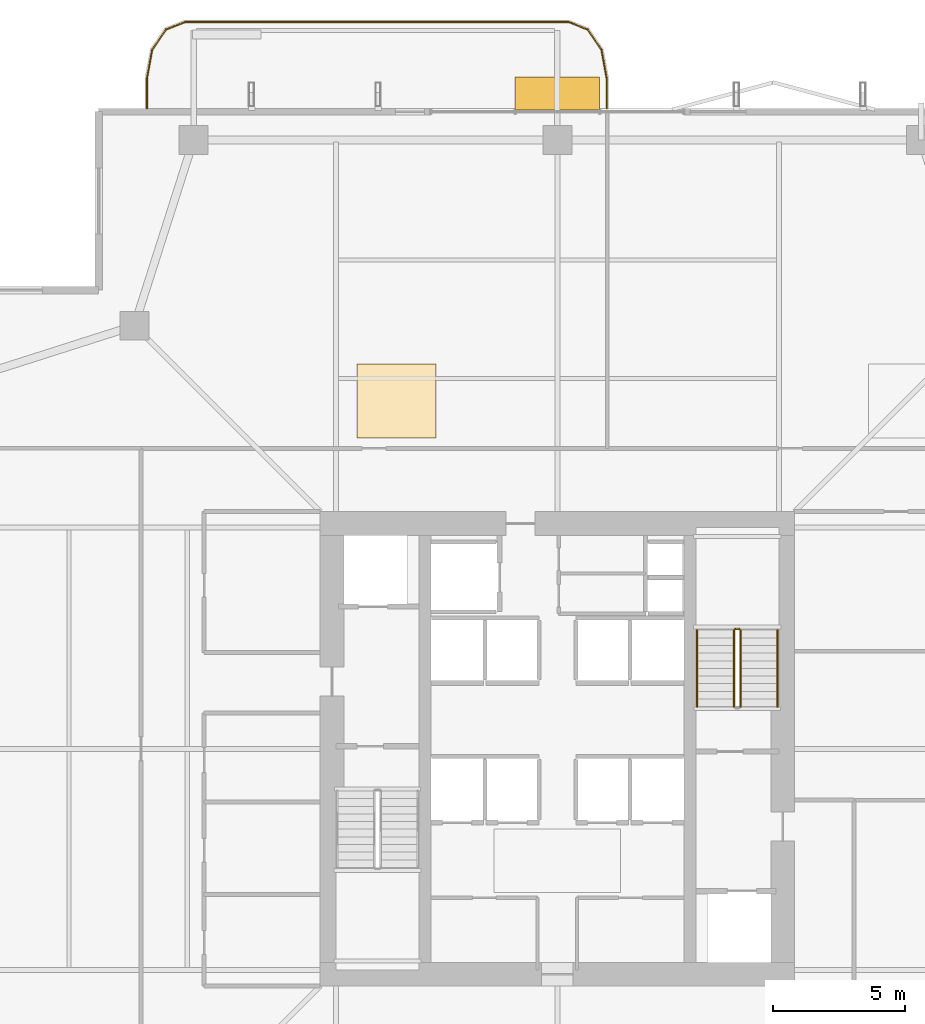
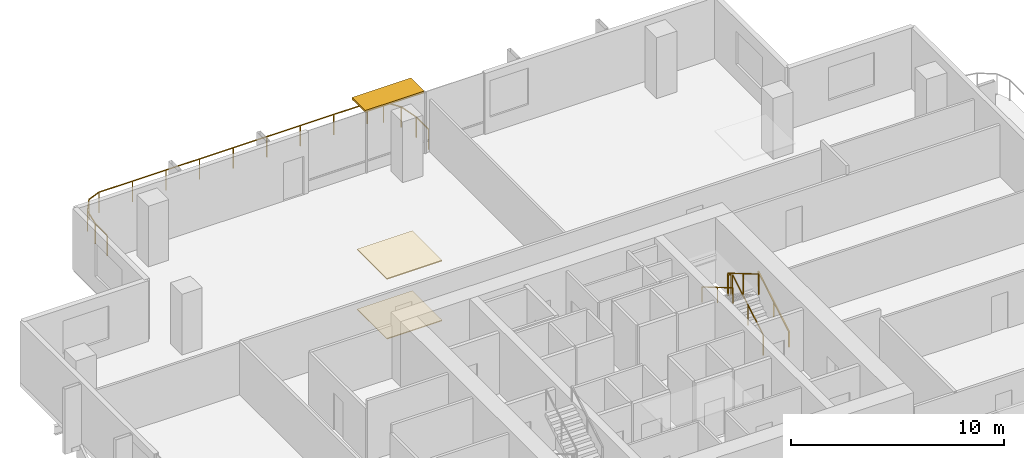
# One storey, part 24 of 25: 6 railings, 2 coverings, 1 shading device.
"""IFC4 building model written with IfcOpenShell, lengths in metres."""

from ifc_helpers import new_model, si_unit, direction, frame, origin, origin_2d, place, context, subcontext, project, spatial, polyline, rectangle, outline, extrude, material, layer, layer_set, type_object, element, save


model = new_model("IFC4")

# Units and contexts
model_context = context("Model", 3, precision=1e-05, world=origin(), true_north=direction((0.0, 1.0)))
body_context = subcontext(model_context, "Body", "Model", "MODEL_VIEW")
ifc_project = project(units=[si_unit("LENGTHUNIT", "METRE"), si_unit("AREAUNIT", "SQUARE_METRE"), si_unit("VOLUMEUNIT", "CUBIC_METRE"), si_unit("PLANEANGLEUNIT", "RADIAN"), si_unit("MASSUNIT", "GRAM", prefix="KILO")], contexts=[model_context])

# Site, building, storey
site_placement = place(None, origin())
site = spatial("IfcSite", under=ifc_project, at=site_placement, CompositionType="ELEMENT")
building_placement = place(site_placement, origin())
building = spatial("IfcBuilding", under=site, at=building_placement, Name="Belovzor Exchange Tower", CompositionType="ELEMENT")
storey_placement = place(building_placement, frame((0.0, 0.0, 187.050048828125)))
storey = spatial("IfcBuildingStorey", under=building, at=storey_placement, Name="L46", CompositionType="ELEMENT", Elevation=187.050048828125)

# Railings
ifc_material_1 = material(Name="Stainless Steel Grade 304", Category="steel")
railing_type_1 = type_object("IfcRailingType", Name="Brushed Stainless Steel Stair Handrail 900", PredefinedType="HANDRAIL", material=ifc_material_1)
railing_1_placement = place(storey_placement, frame((37.14990234375, 30.39990234375, 0.17041015625)))
element("IfcRailing", 1, at=railing_1_placement, inside=storey, type_object=railing_type_1, Name="L46 ST-2 stair handrail 1", PredefinedType="HANDRAIL", context=body_context, shape_type="SweptSolid", body=[
    extrude(rectangle(XDim=0.048095703125, YDim=0.048095703125, at=origin_2d()), frame((0.0, 0.0, 0.8759765625), z_axis=(0.0, 0.862113265706, 0.506715617574), x_axis=(-1.0, 0.0, 0.0)), (0.0, 0.0, 1.0), 3.364013671875),
    extrude(rectangle(XDim=0.0419921875, YDim=0.0419921875, at=origin_2d()), origin(), (0.0, 0.0, 1.0), 0.851806640625),
    extrude(rectangle(XDim=0.0419921875, YDim=0.0419921875, at=origin_2d()), frame((0.0, 1.4501953125, 0.852294921875)), (0.0, 0.0, 1.0), 0.851806640625),
    extrude(rectangle(XDim=0.0419921875, YDim=0.0419921875, at=origin_2d()), frame((0.0, 2.900146484375, 1.70458984375)), (0.0, 0.0, 1.0), 0.851806640625),
])
railing_2_placement = place(storey_placement, frame((34.10009765625, 33.300048828125, 2.04541015625)))
element("IfcRailing", 2, at=railing_2_placement, inside=storey, type_object=railing_type_1, Name="L46 ST-2 stair handrail 2", PredefinedType="HANDRAIL", context=body_context, shape_type="SweptSolid", body=[
    extrude(rectangle(XDim=0.048095703125, YDim=0.048095703125, at=origin_2d()), frame((0.0, 0.0, 0.8759765625), z_axis=(0.0, -0.862113265706, 0.506715617574), x_axis=(1.0, 0.0, 0.0)), (0.0, 0.0, 1.0), 3.364013671875),
    extrude(rectangle(XDim=0.0419921875, YDim=0.0419921875, at=origin_2d()), origin(), (0.0, 0.0, 1.0), 0.851806640625),
    extrude(rectangle(XDim=0.0419921875, YDim=0.0419921875, at=origin_2d()), frame((0.0, -1.4501953125, 0.852294921875)), (0.0, 0.0, 1.0), 0.851806640625),
    extrude(rectangle(XDim=0.0419921875, YDim=0.0419921875, at=origin_2d()), frame((0.0, -2.900146484375, 1.70458984375)), (0.0, 0.0, 1.0), 0.851806640625),
])
ifc_material_2 = material(Name="Stainless Steel and Laminated Safety Glass", Category="steel")
railing_type_2 = type_object("IfcRailingType", Name="Laminated Glass & Stainless Steel Balcony Balustrade 1200", PredefinedType="BALUSTRADE", material=ifc_material_2)
railing_3_placement = place(storey_placement, frame((30.669921875, 53.110107421875, 0.0)))
element("IfcRailing", 3, at=railing_3_placement, inside=storey, type_object=railing_type_2, Name="GR-1 Balcony Balustrade L46 North", PredefinedType="BALUSTRADE", context=body_context, shape_type="SweptSolid", body=[
    extrude(rectangle(XDim=0.048095703125, YDim=0.048095703125, at=origin_2d()), frame((0.0, 0.0, 1.17578125), z_axis=(0.0, 1.0, 0.0), x_axis=(-1.0, 0.0, 0.0)), (0.0, 0.0, 1.0), 1.1328125),
    extrude(rectangle(XDim=0.048095703125, YDim=0.048095703125, at=origin_2d()), frame((0.0, 1.1328125, 1.17578125), z_axis=(-0.180083182347, 0.983651385113, 0.0), x_axis=(-0.983651385113, -0.180083182347, 0.0)), (0.0, 0.0, 1.0), 1.093994140625),
    extrude(rectangle(XDim=0.048095703125, YDim=0.048095703125, at=origin_2d()), frame((-0.197021484375, 2.208984375, 1.17578125), z_axis=(-0.562768145367, 0.826614792125, 0.0), x_axis=(-0.826614792125, -0.562768145367, 0.0)), (0.0, 0.0, 1.0), 0.9326171875),
    extrude(rectangle(XDim=0.048095703125, YDim=0.048095703125, at=origin_2d()), frame((-0.721923828125, 2.97998046875, 1.17578125), z_axis=(-0.930766990125, 0.365612923861, 0.0), x_axis=(-0.365612923861, -0.930766990125, 0.0)), (0.0, 0.0, 1.0), 0.765869140625),
    extrude(rectangle(XDim=0.048095703125, YDim=0.048095703125, at=origin_2d()), frame((-1.434814453125, 3.260009765625, 1.17578125), z_axis=(-1.0, 0.0, 0.0), x_axis=(0.0, -1.0, 0.0)), (0.0, 0.0, 1.0), 14.570068359375),
    extrude(rectangle(XDim=0.048095703125, YDim=0.048095703125, at=origin_2d()), frame((-16.0048828125, 3.260009765625, 1.17578125), z_axis=(-0.930809580156, -0.365504480807, 0.0), x_axis=(0.365504480807, -0.930809580156, 0.0)), (0.0, 0.0, 1.0), 0.76611328125),
    extrude(rectangle(XDim=0.048095703125, YDim=0.048095703125, at=origin_2d()), frame((-16.718017578125, 2.97998046875, 1.17578125), z_axis=(-0.562768145367, -0.826614792125, 0.0), x_axis=(0.826614792125, -0.562768145367, 0.0)), (0.0, 0.0, 1.0), 0.9326171875),
    extrude(rectangle(XDim=0.048095703125, YDim=0.048095703125, at=origin_2d()), frame((-17.242919921875, 2.208984375, 1.17578125), z_axis=(-0.180083182347, -0.983651385113, 0.0), x_axis=(0.983651385113, -0.180083182347, 0.0)), (0.0, 0.0, 1.0), 1.093994140625),
    extrude(rectangle(XDim=0.048095703125, YDim=0.048095703125, at=origin_2d()), frame((-17.43994140625, 1.1328125, 1.17578125), z_axis=(0.0, -1.0, 0.0), x_axis=(1.0, 0.0, 0.0)), (0.0, 0.0, 1.0), 1.1328125),
    extrude(rectangle(XDim=0.0419921875, YDim=0.0419921875, at=origin_2d()), origin(), (0.0, 0.0, 1.0), 1.15185546875),
    extrude(rectangle(XDim=0.0419921875, YDim=0.0419921875, at=origin_2d()), frame((0.0, 1.1328125, 0.0)), (0.0, 0.0, 1.0), 1.15185546875),
    extrude(rectangle(XDim=0.0419921875, YDim=0.0419921875, at=origin_2d()), frame((-0.197021484375, 2.208984375, 0.0)), (0.0, 0.0, 1.0), 1.15185546875),
    extrude(rectangle(XDim=0.0419921875, YDim=0.0419921875, at=origin_2d()), frame((-0.721923828125, 2.97998046875, 0.0)), (0.0, 0.0, 1.0), 1.15185546875),
    extrude(rectangle(XDim=0.0419921875, YDim=0.0419921875, at=origin_2d()), frame((-1.434814453125, 3.260009765625, 0.0)), (0.0, 0.0, 1.0), 1.15185546875),
    extrude(rectangle(XDim=0.0419921875, YDim=0.0419921875, at=origin_2d()), frame((-3.256103515625, 3.260009765625, 0.0)), (0.0, 0.0, 1.0), 1.15185546875),
    extrude(rectangle(XDim=0.0419921875, YDim=0.0419921875, at=origin_2d()), frame((-5.077392578125, 3.260009765625, 0.0)), (0.0, 0.0, 1.0), 1.15185546875),
    extrude(rectangle(XDim=0.0419921875, YDim=0.0419921875, at=origin_2d()), frame((-6.898681640625, 3.260009765625, 0.0)), (0.0, 0.0, 1.0), 1.15185546875),
    extrude(rectangle(XDim=0.0419921875, YDim=0.0419921875, at=origin_2d()), frame((-8.7197265625, 3.260009765625, 0.0)), (0.0, 0.0, 1.0), 1.15185546875),
    extrude(rectangle(XDim=0.0419921875, YDim=0.0419921875, at=origin_2d()), frame((-10.541015625, 3.260009765625, 0.0)), (0.0, 0.0, 1.0), 1.15185546875),
    extrude(rectangle(XDim=0.0419921875, YDim=0.0419921875, at=origin_2d()), frame((-12.3623046875, 3.260009765625, 0.0)), (0.0, 0.0, 1.0), 1.15185546875),
    extrude(rectangle(XDim=0.0419921875, YDim=0.0419921875, at=origin_2d()), frame((-14.18359375, 3.260009765625, 0.0)), (0.0, 0.0, 1.0), 1.15185546875),
    extrude(rectangle(XDim=0.0419921875, YDim=0.0419921875, at=origin_2d()), frame((-16.0048828125, 3.260009765625, 0.0)), (0.0, 0.0, 1.0), 1.15185546875),
    extrude(rectangle(XDim=0.0419921875, YDim=0.0419921875, at=origin_2d()), frame((-16.718017578125, 2.97998046875, 0.0)), (0.0, 0.0, 1.0), 1.15185546875),
    extrude(rectangle(XDim=0.0419921875, YDim=0.0419921875, at=origin_2d()), frame((-17.242919921875, 2.208984375, 0.0)), (0.0, 0.0, 1.0), 1.15185546875),
    extrude(rectangle(XDim=0.0419921875, YDim=0.0419921875, at=origin_2d()), frame((-17.43994140625, 1.1328125, 0.0)), (0.0, 0.0, 1.0), 1.15185546875),
    extrude(rectangle(XDim=0.0419921875, YDim=0.0419921875, at=origin_2d()), frame((-17.43994140625, 0.0, 0.0)), (0.0, 0.0, 1.0), 1.15185546875),
])
ifc_material_3 = material(Name="Steel S355", Category="steel")
railing_type_3 = type_object("IfcRailingType", Name="Painted Steel Stairwell Guardrail 1200", PredefinedType="GUARDRAIL", material=ifc_material_3)
railing_4_placement = place(storey_placement, frame((35.75, 30.39990234375, 0.17041015625)))
element("IfcRailing", 4, at=railing_4_placement, inside=storey, type_object=railing_type_3, Name="L46 ST-2 stair guard 1", PredefinedType="GUARDRAIL", context=body_context, shape_type="SweptSolid", body=[
    extrude(rectangle(XDim=0.048095703125, YDim=0.048095703125, at=origin_2d()), frame((0.0, 0.0, 1.17578125), z_axis=(0.0, 0.862113265706, 0.506715617574), x_axis=(-1.0, 0.0, 0.0)), (0.0, 0.0, 1.0), 3.364013671875),
    extrude(rectangle(XDim=0.0419921875, YDim=0.0419921875, at=origin_2d()), origin(), (0.0, 0.0, 1.0), 1.15185546875),
    extrude(rectangle(XDim=0.0419921875, YDim=0.0419921875, at=origin_2d()), frame((0.0, 1.4501953125, 0.852294921875)), (0.0, 0.0, 1.0), 1.15185546875),
    extrude(rectangle(XDim=0.0419921875, YDim=0.0419921875, at=origin_2d()), frame((0.0, 2.900146484375, 1.70458984375)), (0.0, 0.0, 1.0), 1.15185546875),
])
railing_5_placement = place(storey_placement, frame((35.699951171875, 33.35009765625, 1.875)))
element("IfcRailing", 5, at=railing_5_placement, inside=storey, type_object=railing_type_3, Name="L46 ST-2 stair guard 2", PredefinedType="GUARDRAIL", context=body_context, shape_type="SweptSolid", body=[
    extrude(rectangle(XDim=0.048095703125, YDim=0.048095703125, at=origin_2d()), frame((0.0, 0.0, 1.17578125), z_axis=(-1.0, 0.0, 0.0), x_axis=(0.0, -1.0, 0.0)), (0.0, 0.0, 1.0), 0.14990234375),
    extrude(rectangle(XDim=0.0419921875, YDim=0.0419921875, at=origin_2d()), origin(), (0.0, 0.0, 1.0), 1.15185546875),
    extrude(rectangle(XDim=0.0419921875, YDim=0.0419921875, at=origin_2d()), frame((-0.14990234375, 0.0, 0.0)), (0.0, 0.0, 1.0), 1.15185546875),
])
railing_6_placement = place(storey_placement, frame((35.5, 33.300048828125, 2.04541015625)))
element("IfcRailing", 6, at=railing_6_placement, inside=storey, type_object=railing_type_3, Name="L46 ST-2 stair guard 3", PredefinedType="GUARDRAIL", context=body_context, shape_type="SweptSolid", body=[
    extrude(rectangle(XDim=0.048095703125, YDim=0.048095703125, at=origin_2d()), frame((0.0, 0.0, 1.17578125), z_axis=(0.0, -0.862113265706, 0.506715617574), x_axis=(1.0, 0.0, 0.0)), (0.0, 0.0, 1.0), 3.364013671875),
    extrude(rectangle(XDim=0.0419921875, YDim=0.0419921875, at=origin_2d()), origin(), (0.0, 0.0, 1.0), 1.15185546875),
    extrude(rectangle(XDim=0.0419921875, YDim=0.0419921875, at=origin_2d()), frame((0.0, -1.4501953125, 0.852294921875)), (0.0, 0.0, 1.0), 1.15185546875),
    extrude(rectangle(XDim=0.0419921875, YDim=0.0419921875, at=origin_2d()), frame((0.0, -2.900146484375, 1.70458984375)), (0.0, 0.0, 1.0), 1.15185546875),
])

# Coverings
ifc_material_4 = material(Name="Perforated Powder-Coated Aluminium", Category="aluminium")
ifc_layer_1 = layer(ifc_material_4, 0.06005859375)
ifc_layer_set_1 = layer_set([ifc_layer_1], Name="Perforated Powder-Coated Aluminium")
covering_type_1 = type_object("IfcCoveringType", Name="Perforated Acoustic Metal Tile Suspended Ceiling 60", PredefinedType="CEILING", material=ifc_layer_set_1)
covering_1_placement = place(storey_placement, frame((0.0, 0.0, 3.43505859375)))
element("IfcCovering", 7, at=covering_1_placement, inside=storey, type_object=covering_type_1, Name="CLG-AC60 Suspended Ceiling CLG-L46-Z3", PredefinedType="CEILING", context=body_context, shape_type="SweptSolid", body=[
    extrude(outline(polyline([(21.199951171875, 40.60009765625), (24.199951171875, 40.60009765625), (24.199951171875, 43.39990234375), (21.199951171875, 43.39990234375), (21.199951171875, 40.60009765625)])), origin(), (0.0, 0.0, 1.0), 0.059814453125),
])
ifc_material_5 = material(Name="Polished Natural Granite Tile", Category="masonry")
ifc_layer_2 = layer(ifc_material_5, 0.050048828125)
ifc_layer_set_2 = layer_set([ifc_layer_2], Name="Polished Natural Granite Tile")
covering_type_2 = type_object("IfcCoveringType", Name="Polished Karelian Granite & Raised Access Floor Finish 50", PredefinedType="FLOORING", material=ifc_layer_set_2)
covering_2_placement = place(storey_placement, origin())
element("IfcCovering", 8, at=covering_2_placement, inside=storey, type_object=covering_type_2, Name="FLR-GR50 Floor Finish FLR-L46-Z3", PredefinedType="FLOORING", context=body_context, shape_type="SweptSolid", body=[
    extrude(outline(polyline([(21.199951171875, 40.60009765625), (24.199951171875, 40.60009765625), (24.199951171875, 43.39990234375), (21.199951171875, 43.39990234375), (21.199951171875, 40.60009765625)])), origin(), (0.0, 0.0, 1.0), 0.050048828125),
])

# Shading device
ifc_material_6 = material(Name="Extruded Architectural Terracotta", Category="masonry")
ifc_layer_3 = layer(ifc_material_6, 0.1201171875)
ifc_layer_set_3 = layer_set([ifc_layer_3], Name="Extruded Architectural Terracotta")
shading_device_type = type_object("IfcShadingDeviceType", Name="Streamline Terracotta Horizontal Sunshade Hood 1250", PredefinedType="AWNING", material=ifc_layer_set_3)
shading_device_placement = place(storey_placement, frame((28.800048828125, 53.6650390625, 3.375), z_axis=(0.0, 0.0, 1.0), x_axis=(1.0, 0.0, 0.0)))
element("IfcShadingDevice", 9, at=shading_device_placement, inside=storey, type_object=shading_device_type, Name="SHD-TC125 Terracotta Sunshade L46 N", PredefinedType="AWNING", context=body_context, shape_type="SweptSolid", body=[
    extrude(rectangle(XDim=3.199951171875, YDim=1.25, at=origin_2d()), origin(), (0.0, 0.0, 1.0), 0.1201171875),
])

save(model, "model.ifc")
